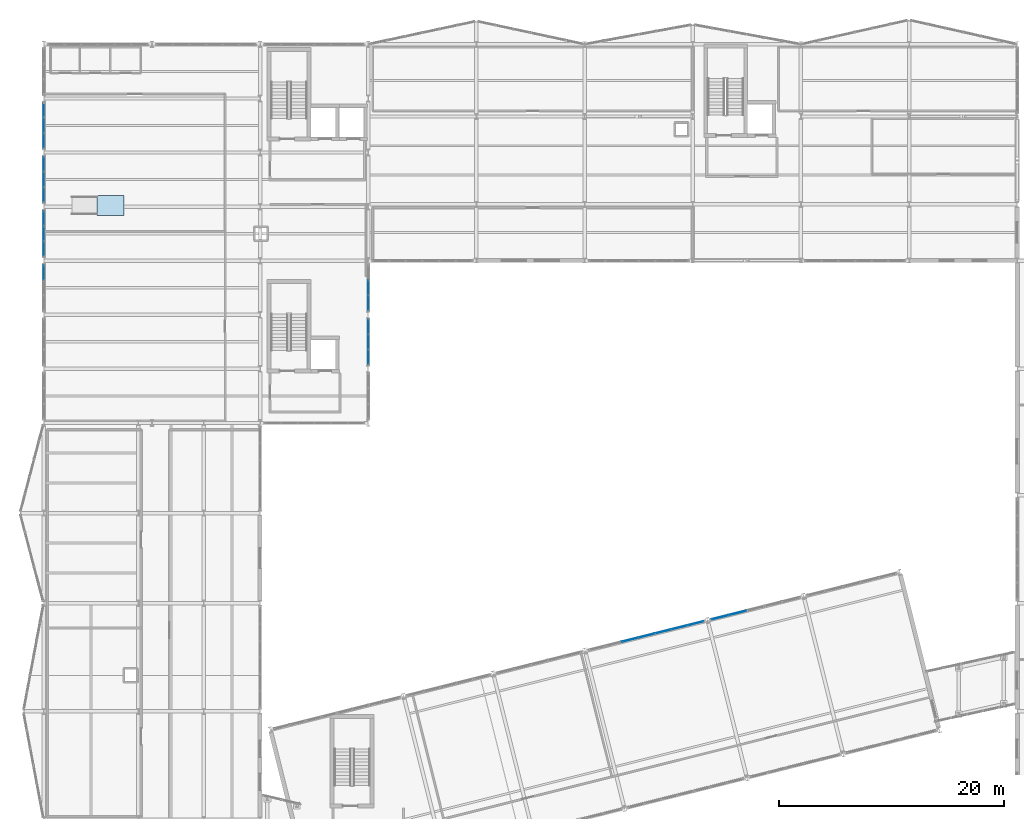
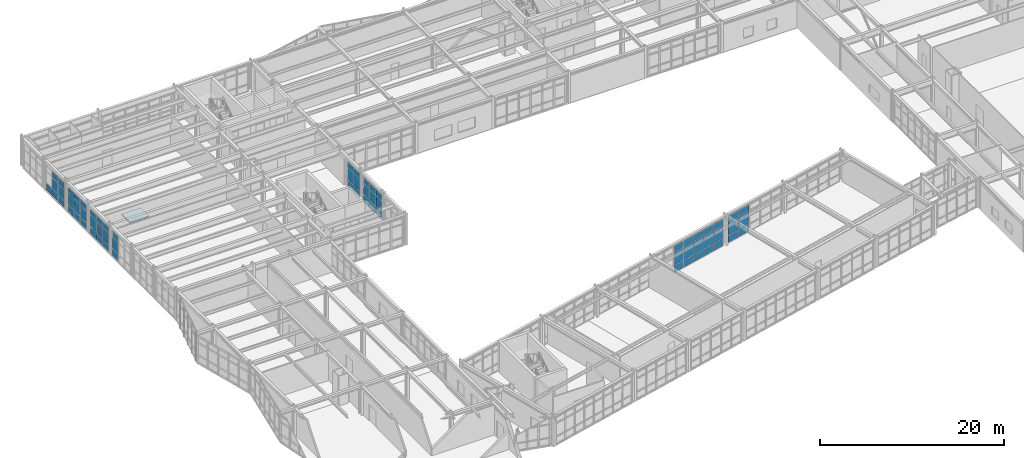
# One storey, part 56 of 88: 64 plates, 1 slab, 8 elements without a shape of their own.
"""IFC4 building model written with IfcOpenShell, lengths in metres."""

from ifc_helpers import new_model, si_unit, direction, frame, origin, origin_2d, place, context, subcontext, project, spatial, polyline, rectangle, outline, extrude, material, layer, layer_set, type_object, element, aggregate, save


model = new_model("IFC4")

# Units and contexts
model_context = context("Model", 3, precision=1e-05, world=origin(), true_north=direction((0.0, 1.0)))
body_context = subcontext(model_context, "Body", "Model", "MODEL_VIEW")
ifc_project = project(units=[si_unit("LENGTHUNIT", "METRE"), si_unit("AREAUNIT", "SQUARE_METRE"), si_unit("VOLUMEUNIT", "CUBIC_METRE"), si_unit("PLANEANGLEUNIT", "RADIAN"), si_unit("MASSUNIT", "GRAM", prefix="KILO")], contexts=[model_context])

# Site, building, storey
site_placement = place(None, origin())
site = spatial("IfcSite", under=ifc_project, at=site_placement, CompositionType="ELEMENT")
building_placement = place(site_placement, origin())
building = spatial("IfcBuilding", under=site, at=building_placement, Name="Nordkorset Police Headquarters", CompositionType="ELEMENT")
storey_placement = place(building_placement, frame((0.0, 0.0, 9.449951171875)))
storey = spatial("IfcBuildingStorey", under=building, at=storey_placement, Name="L02", CompositionType="ELEMENT", Elevation=9.449951171875)

# Curtain wall, plates
ifc_material_1 = material(Name="Aluminium alloy AW-6060", Category="aluminium")
ifc_layer_1 = layer(ifc_material_1, 0.179931640625, Name="Aluminium alloy AW-6060")
ifc_layer_set_1 = layer_set([ifc_layer_1], Name="Aluminium alloy AW-6060")
curtain_wall_type_1 = type_object("IfcCurtainWallType", Name="CW_Unit_408x341", PredefinedType="USERDEFINED", material=ifc_layer_set_1)
curtain_wall_1_placement = place(storey_placement, origin())
curtain_wall_1 = element("IfcCurtainWall", 1, at=curtain_wall_1_placement, inside=storey, type_object=curtain_wall_type_1, Name="Unitised Curtain Wall L02 V1W-2", ObjectType="UNITISED CURTAIN WALL", PredefinedType="USERDEFINED")
ifc_material_2 = material(Name="Low-iron triple glazing", Category="glass")
ifc_layer_2 = layer(ifc_material_2, 0.035888671875, Name="Low-iron triple glazing")
ifc_layer_set_2 = layer_set([ifc_layer_2], Name="Low-iron triple glazing")
plate_type = type_object("IfcPlateType", Name="CW_Panel_TripleGlazing_36", PredefinedType="CURTAIN_PANEL", material=ifc_layer_set_2)
plate_1_placement = place(storey_placement, frame((0.0, 96.543701171875, 0.06494140625), z_axis=(0.0, 0.0, 1.0), x_axis=(0.0, 1.0, 0.0)))
plate_1 = element("IfcPlate", 2, at=plate_1_placement, type_object=plate_type, Name="CW-40 panel 3.1", PredefinedType="CURTAIN_PANEL", context=body_context, shape_type="SweptSolid", body=[
    extrude(rectangle(XDim=1.262451171875, YDim=0.035888671875, at=origin_2d()), origin(), (0.0, 0.0, 1.0), 0.902587890625),
])
plate_2_placement = place(storey_placement, frame((0.0, 96.543701171875, 1.032470703125), z_axis=(0.0, 0.0, 1.0), x_axis=(0.0, 1.0, 0.0)))
plate_2 = element("IfcPlate", 3, at=plate_2_placement, type_object=plate_type, Name="CW-40 panel 3.2", PredefinedType="CURTAIN_PANEL", context=body_context, shape_type="SweptSolid", body=[
    extrude(rectangle(XDim=1.262451171875, YDim=0.035888671875, at=origin_2d()), origin(), (0.0, 0.0, 1.0), 1.4951171875),
])
plate_3_placement = place(storey_placement, frame((0.0, 96.543701171875, 2.592529296875), z_axis=(0.0, 0.0, 1.0), x_axis=(0.0, 1.0, 0.0)))
plate_3 = element("IfcPlate", 4, at=plate_3_placement, type_object=plate_type, Name="CW-40 panel 3.3", PredefinedType="CURTAIN_PANEL", context=body_context, shape_type="SweptSolid", body=[
    extrude(rectangle(XDim=1.262451171875, YDim=0.035888671875, at=origin_2d()), origin(), (0.0, 0.0, 1.0), 0.75244140625),
])
aggregate(curtain_wall_1, [plate_1, plate_2, plate_3])

curtain_wall_2_placement = place(storey_placement, origin())
curtain_wall_2 = element("IfcCurtainWall", 5, at=curtain_wall_2_placement, inside=storey, type_object=curtain_wall_type_1, Name="Unitised Curtain Wall L02 V1W-3", ObjectType="UNITISED CURTAIN WALL", PredefinedType="USERDEFINED")
plate_4_placement = place(storey_placement, frame((0.0, 98.65625, 0.06494140625), z_axis=(0.0, 0.0, 1.0), x_axis=(0.0, 1.0, 0.0)))
plate_4 = element("IfcPlate", 6, at=plate_4_placement, type_object=plate_type, Name="CW-40 panel 1.1", PredefinedType="CURTAIN_PANEL", context=body_context, shape_type="SweptSolid", body=[
    extrude(rectangle(XDim=1.262451171875, YDim=0.035888671875, at=origin_2d()), origin(), (0.0, 0.0, 1.0), 0.902587890625),
])
plate_5_placement = place(storey_placement, frame((0.0, 98.65625, 1.032470703125), z_axis=(0.0, 0.0, 1.0), x_axis=(0.0, 1.0, 0.0)))
plate_5 = element("IfcPlate", 7, at=plate_5_placement, type_object=plate_type, Name="CW-40 panel 1.2", PredefinedType="CURTAIN_PANEL", context=body_context, shape_type="SweptSolid", body=[
    extrude(rectangle(XDim=1.262451171875, YDim=0.035888671875, at=origin_2d()), origin(), (0.0, 0.0, 1.0), 1.4951171875),
])
plate_6_placement = place(storey_placement, frame((0.0, 98.65625, 2.592529296875), z_axis=(0.0, 0.0, 1.0), x_axis=(0.0, 1.0, 0.0)))
plate_6 = element("IfcPlate", 8, at=plate_6_placement, type_object=plate_type, Name="CW-40 panel 1.3", PredefinedType="CURTAIN_PANEL", context=body_context, shape_type="SweptSolid", body=[
    extrude(rectangle(XDim=1.262451171875, YDim=0.035888671875, at=origin_2d()), origin(), (0.0, 0.0, 1.0), 0.75244140625),
])
plate_7_placement = place(storey_placement, frame((0.0, 100.0, 0.06494140625), z_axis=(0.0, 0.0, 1.0), x_axis=(0.0, 1.0, 0.0)))
plate_7 = element("IfcPlate", 9, at=plate_7_placement, type_object=plate_type, Name="CW-40 panel 2.1", PredefinedType="CURTAIN_PANEL", context=body_context, shape_type="SweptSolid", body=[
    extrude(rectangle(XDim=1.294921875, YDim=0.035888671875, at=origin_2d()), origin(), (0.0, 0.0, 1.0), 0.902587890625),
])
plate_8_placement = place(storey_placement, frame((0.0, 100.0, 1.032470703125), z_axis=(0.0, 0.0, 1.0), x_axis=(0.0, 1.0, 0.0)))
plate_8 = element("IfcPlate", 10, at=plate_8_placement, type_object=plate_type, Name="CW-40 panel 2.2", PredefinedType="CURTAIN_PANEL", context=body_context, shape_type="SweptSolid", body=[
    extrude(rectangle(XDim=1.294921875, YDim=0.035888671875, at=origin_2d()), origin(), (0.0, 0.0, 1.0), 1.4951171875),
])
plate_9_placement = place(storey_placement, frame((0.0, 100.0, 2.592529296875), z_axis=(0.0, 0.0, 1.0), x_axis=(0.0, 1.0, 0.0)))
plate_9 = element("IfcPlate", 11, at=plate_9_placement, type_object=plate_type, Name="CW-40 panel 2.3", PredefinedType="CURTAIN_PANEL", context=body_context, shape_type="SweptSolid", body=[
    extrude(rectangle(XDim=1.294921875, YDim=0.035888671875, at=origin_2d()), origin(), (0.0, 0.0, 1.0), 0.75244140625),
])
plate_10_placement = place(storey_placement, frame((0.0, 101.34375, 0.06494140625), z_axis=(0.0, 0.0, 1.0), x_axis=(0.0, 1.0, 0.0)))
plate_10 = element("IfcPlate", 12, at=plate_10_placement, type_object=plate_type, Name="CW-40 panel 3.1", PredefinedType="CURTAIN_PANEL", context=body_context, shape_type="SweptSolid", body=[
    extrude(rectangle(XDim=1.262451171875, YDim=0.035888671875, at=origin_2d()), origin(), (0.0, 0.0, 1.0), 0.902587890625),
])
plate_11_placement = place(storey_placement, frame((0.0, 101.34375, 1.032470703125), z_axis=(0.0, 0.0, 1.0), x_axis=(0.0, 1.0, 0.0)))
plate_11 = element("IfcPlate", 13, at=plate_11_placement, type_object=plate_type, Name="CW-40 panel 3.2", PredefinedType="CURTAIN_PANEL", context=body_context, shape_type="SweptSolid", body=[
    extrude(rectangle(XDim=1.262451171875, YDim=0.035888671875, at=origin_2d()), origin(), (0.0, 0.0, 1.0), 1.4951171875),
])
plate_12_placement = place(storey_placement, frame((0.0, 101.34375, 2.592529296875), z_axis=(0.0, 0.0, 1.0), x_axis=(0.0, 1.0, 0.0)))
plate_12 = element("IfcPlate", 14, at=plate_12_placement, type_object=plate_type, Name="CW-40 panel 3.3", PredefinedType="CURTAIN_PANEL", context=body_context, shape_type="SweptSolid", body=[
    extrude(rectangle(XDim=1.262451171875, YDim=0.035888671875, at=origin_2d()), origin(), (0.0, 0.0, 1.0), 0.75244140625),
])
aggregate(curtain_wall_2, [plate_4, plate_5, plate_6, plate_7, plate_8, plate_9, plate_10, plate_11, plate_12])

curtain_wall_3_placement = place(storey_placement, origin())
curtain_wall_3 = element("IfcCurtainWall", 15, at=curtain_wall_3_placement, inside=storey, type_object=curtain_wall_type_1, Name="Unitised Curtain Wall L02 V1W-4", ObjectType="UNITISED CURTAIN WALL", PredefinedType="USERDEFINED")
plate_13_placement = place(storey_placement, frame((0.0, 103.456298828125, 0.06494140625), z_axis=(0.0, 0.0, 1.0), x_axis=(0.0, 1.0, 0.0)))
plate_13 = element("IfcPlate", 16, at=plate_13_placement, type_object=plate_type, Name="CW-40 panel 1.1", PredefinedType="CURTAIN_PANEL", context=body_context, shape_type="SweptSolid", body=[
    extrude(rectangle(XDim=1.262451171875, YDim=0.035888671875, at=origin_2d()), origin(), (0.0, 0.0, 1.0), 0.902587890625),
])
plate_14_placement = place(storey_placement, frame((0.0, 103.456298828125, 1.032470703125), z_axis=(0.0, 0.0, 1.0), x_axis=(0.0, 1.0, 0.0)))
plate_14 = element("IfcPlate", 17, at=plate_14_placement, type_object=plate_type, Name="CW-40 panel 1.2", PredefinedType="CURTAIN_PANEL", context=body_context, shape_type="SweptSolid", body=[
    extrude(rectangle(XDim=1.262451171875, YDim=0.035888671875, at=origin_2d()), origin(), (0.0, 0.0, 1.0), 1.4951171875),
])
plate_15_placement = place(storey_placement, frame((0.0, 103.456298828125, 2.592529296875), z_axis=(0.0, 0.0, 1.0), x_axis=(0.0, 1.0, 0.0)))
plate_15 = element("IfcPlate", 18, at=plate_15_placement, type_object=plate_type, Name="CW-40 panel 1.3", PredefinedType="CURTAIN_PANEL", context=body_context, shape_type="SweptSolid", body=[
    extrude(rectangle(XDim=1.262451171875, YDim=0.035888671875, at=origin_2d()), origin(), (0.0, 0.0, 1.0), 0.75244140625),
])
plate_16_placement = place(storey_placement, frame((0.0, 104.800048828125, 0.06494140625), z_axis=(0.0, 0.0, 1.0), x_axis=(0.0, 1.0, 0.0)))
plate_16 = element("IfcPlate", 19, at=plate_16_placement, type_object=plate_type, Name="CW-40 panel 2.1", PredefinedType="CURTAIN_PANEL", context=body_context, shape_type="SweptSolid", body=[
    extrude(rectangle(XDim=1.294921875, YDim=0.035888671875, at=origin_2d()), origin(), (0.0, 0.0, 1.0), 0.902587890625),
])
plate_17_placement = place(storey_placement, frame((0.0, 104.800048828125, 1.032470703125), z_axis=(0.0, 0.0, 1.0), x_axis=(0.0, 1.0, 0.0)))
plate_17 = element("IfcPlate", 20, at=plate_17_placement, type_object=plate_type, Name="CW-40 panel 2.2", PredefinedType="CURTAIN_PANEL", context=body_context, shape_type="SweptSolid", body=[
    extrude(rectangle(XDim=1.294921875, YDim=0.035888671875, at=origin_2d()), origin(), (0.0, 0.0, 1.0), 1.4951171875),
])
plate_18_placement = place(storey_placement, frame((0.0, 104.800048828125, 2.592529296875), z_axis=(0.0, 0.0, 1.0), x_axis=(0.0, 1.0, 0.0)))
plate_18 = element("IfcPlate", 21, at=plate_18_placement, type_object=plate_type, Name="CW-40 panel 2.3", PredefinedType="CURTAIN_PANEL", context=body_context, shape_type="SweptSolid", body=[
    extrude(rectangle(XDim=1.294921875, YDim=0.035888671875, at=origin_2d()), origin(), (0.0, 0.0, 1.0), 0.75244140625),
])
plate_19_placement = place(storey_placement, frame((0.0, 106.143798828125, 0.06494140625), z_axis=(0.0, 0.0, 1.0), x_axis=(0.0, 1.0, 0.0)))
plate_19 = element("IfcPlate", 22, at=plate_19_placement, type_object=plate_type, Name="CW-40 panel 3.1", PredefinedType="CURTAIN_PANEL", context=body_context, shape_type="SweptSolid", body=[
    extrude(rectangle(XDim=1.262451171875, YDim=0.035888671875, at=origin_2d()), origin(), (0.0, 0.0, 1.0), 0.902587890625),
])
plate_20_placement = place(storey_placement, frame((0.0, 106.143798828125, 1.032470703125), z_axis=(0.0, 0.0, 1.0), x_axis=(0.0, 1.0, 0.0)))
plate_20 = element("IfcPlate", 23, at=plate_20_placement, type_object=plate_type, Name="CW-40 panel 3.2", PredefinedType="CURTAIN_PANEL", context=body_context, shape_type="SweptSolid", body=[
    extrude(rectangle(XDim=1.262451171875, YDim=0.035888671875, at=origin_2d()), origin(), (0.0, 0.0, 1.0), 1.4951171875),
])
plate_21_placement = place(storey_placement, frame((0.0, 106.143798828125, 2.592529296875), z_axis=(0.0, 0.0, 1.0), x_axis=(0.0, 1.0, 0.0)))
plate_21 = element("IfcPlate", 24, at=plate_21_placement, type_object=plate_type, Name="CW-40 panel 3.3", PredefinedType="CURTAIN_PANEL", context=body_context, shape_type="SweptSolid", body=[
    extrude(rectangle(XDim=1.262451171875, YDim=0.035888671875, at=origin_2d()), origin(), (0.0, 0.0, 1.0), 0.75244140625),
])
aggregate(curtain_wall_3, [plate_13, plate_14, plate_15, plate_16, plate_17, plate_18, plate_19, plate_20, plate_21])

curtain_wall_4_placement = place(storey_placement, origin())
curtain_wall_4 = element("IfcCurtainWall", 25, at=curtain_wall_4_placement, inside=storey, type_object=curtain_wall_type_1, Name="Unitised Curtain Wall L02 V1W-5", ObjectType="UNITISED CURTAIN WALL", PredefinedType="USERDEFINED")
plate_22_placement = place(storey_placement, frame((0.0, 108.25634765625, 0.06494140625), z_axis=(0.0, 0.0, 1.0), x_axis=(0.0, 1.0, 0.0)))
plate_22 = element("IfcPlate", 26, at=plate_22_placement, type_object=plate_type, Name="CW-40 panel 1.1", PredefinedType="CURTAIN_PANEL", context=body_context, shape_type="SweptSolid", body=[
    extrude(rectangle(XDim=1.262451171875, YDim=0.035888671875, at=origin_2d()), origin(), (0.0, 0.0, 1.0), 0.902587890625),
])
plate_23_placement = place(storey_placement, frame((0.0, 108.25634765625, 1.032470703125), z_axis=(0.0, 0.0, 1.0), x_axis=(0.0, 1.0, 0.0)))
plate_23 = element("IfcPlate", 27, at=plate_23_placement, type_object=plate_type, Name="CW-40 panel 1.2", PredefinedType="CURTAIN_PANEL", context=body_context, shape_type="SweptSolid", body=[
    extrude(rectangle(XDim=1.262451171875, YDim=0.035888671875, at=origin_2d()), origin(), (0.0, 0.0, 1.0), 1.4951171875),
])
plate_24_placement = place(storey_placement, frame((0.0, 108.25634765625, 2.592529296875), z_axis=(0.0, 0.0, 1.0), x_axis=(0.0, 1.0, 0.0)))
plate_24 = element("IfcPlate", 28, at=plate_24_placement, type_object=plate_type, Name="CW-40 panel 1.3", PredefinedType="CURTAIN_PANEL", context=body_context, shape_type="SweptSolid", body=[
    extrude(rectangle(XDim=1.262451171875, YDim=0.035888671875, at=origin_2d()), origin(), (0.0, 0.0, 1.0), 0.75244140625),
])
plate_25_placement = place(storey_placement, frame((0.0, 109.60009765625, 0.06494140625), z_axis=(0.0, 0.0, 1.0), x_axis=(0.0, 1.0, 0.0)))
plate_25 = element("IfcPlate", 29, at=plate_25_placement, type_object=plate_type, Name="CW-40 panel 2.1", PredefinedType="CURTAIN_PANEL", context=body_context, shape_type="SweptSolid", body=[
    extrude(rectangle(XDim=1.294921875, YDim=0.035888671875, at=origin_2d()), origin(), (0.0, 0.0, 1.0), 0.902587890625),
])
plate_26_placement = place(storey_placement, frame((0.0, 109.60009765625, 1.032470703125), z_axis=(0.0, 0.0, 1.0), x_axis=(0.0, 1.0, 0.0)))
plate_26 = element("IfcPlate", 30, at=plate_26_placement, type_object=plate_type, Name="CW-40 panel 2.2", PredefinedType="CURTAIN_PANEL", context=body_context, shape_type="SweptSolid", body=[
    extrude(rectangle(XDim=1.294921875, YDim=0.035888671875, at=origin_2d()), origin(), (0.0, 0.0, 1.0), 1.4951171875),
])
plate_27_placement = place(storey_placement, frame((0.0, 109.60009765625, 2.592529296875), z_axis=(0.0, 0.0, 1.0), x_axis=(0.0, 1.0, 0.0)))
plate_27 = element("IfcPlate", 31, at=plate_27_placement, type_object=plate_type, Name="CW-40 panel 2.3", PredefinedType="CURTAIN_PANEL", context=body_context, shape_type="SweptSolid", body=[
    extrude(rectangle(XDim=1.294921875, YDim=0.035888671875, at=origin_2d()), origin(), (0.0, 0.0, 1.0), 0.75244140625),
])
plate_28_placement = place(storey_placement, frame((0.0, 110.94384765625, 0.06494140625), z_axis=(0.0, 0.0, 1.0), x_axis=(0.0, 1.0, 0.0)))
plate_28 = element("IfcPlate", 32, at=plate_28_placement, type_object=plate_type, Name="CW-40 panel 3.1", PredefinedType="CURTAIN_PANEL", context=body_context, shape_type="SweptSolid", body=[
    extrude(rectangle(XDim=1.262451171875, YDim=0.035888671875, at=origin_2d()), origin(), (0.0, 0.0, 1.0), 0.902587890625),
])
aggregate(curtain_wall_4, [plate_22, plate_23, plate_24, plate_25, plate_26, plate_27, plate_28])

curtain_wall_5_placement = place(storey_placement, origin())
curtain_wall_5 = element("IfcCurtainWall", 33, at=curtain_wall_5_placement, inside=storey, type_object=curtain_wall_type_1, Name="Unitised Curtain Wall L02 V1E-1", ObjectType="UNITISED CURTAIN WALL", PredefinedType="USERDEFINED")
plate_29_placement = place(storey_placement, frame((28.800048828125, 89.05615234375, 0.06494140625), z_axis=(0.0, 0.0, 1.0), x_axis=(0.0, 1.0, 0.0)))
plate_29 = element("IfcPlate", 34, at=plate_29_placement, type_object=plate_type, Name="CW-40 panel 1.1", PredefinedType="CURTAIN_PANEL", context=body_context, shape_type="SweptSolid", body=[
    extrude(rectangle(XDim=1.262451171875, YDim=0.035888671875, at=origin_2d()), origin(), (0.0, 0.0, 1.0), 0.902587890625),
])
plate_30_placement = place(storey_placement, frame((28.800048828125, 89.05615234375, 1.032470703125), z_axis=(0.0, 0.0, 1.0), x_axis=(0.0, 1.0, 0.0)))
plate_30 = element("IfcPlate", 35, at=plate_30_placement, type_object=plate_type, Name="CW-40 panel 1.2", PredefinedType="CURTAIN_PANEL", context=body_context, shape_type="SweptSolid", body=[
    extrude(rectangle(XDim=1.262451171875, YDim=0.035888671875, at=origin_2d()), origin(), (0.0, 0.0, 1.0), 1.4951171875),
])
plate_31_placement = place(storey_placement, frame((28.800048828125, 89.05615234375, 2.592529296875), z_axis=(0.0, 0.0, 1.0), x_axis=(0.0, 1.0, 0.0)))
plate_31 = element("IfcPlate", 36, at=plate_31_placement, type_object=plate_type, Name="CW-40 panel 1.3", PredefinedType="CURTAIN_PANEL", context=body_context, shape_type="SweptSolid", body=[
    extrude(rectangle(XDim=1.262451171875, YDim=0.035888671875, at=origin_2d()), origin(), (0.0, 0.0, 1.0), 0.75244140625),
])
plate_32_placement = place(storey_placement, frame((28.800048828125, 90.39990234375, 0.06494140625), z_axis=(0.0, 0.0, 1.0), x_axis=(0.0, 1.0, 0.0)))
plate_32 = element("IfcPlate", 37, at=plate_32_placement, type_object=plate_type, Name="CW-40 panel 2.1", PredefinedType="CURTAIN_PANEL", context=body_context, shape_type="SweptSolid", body=[
    extrude(rectangle(XDim=1.294921875, YDim=0.035888671875, at=origin_2d()), origin(), (0.0, 0.0, 1.0), 0.902587890625),
])
plate_33_placement = place(storey_placement, frame((28.800048828125, 90.39990234375, 1.032470703125), z_axis=(0.0, 0.0, 1.0), x_axis=(0.0, 1.0, 0.0)))
plate_33 = element("IfcPlate", 38, at=plate_33_placement, type_object=plate_type, Name="CW-40 panel 2.2", PredefinedType="CURTAIN_PANEL", context=body_context, shape_type="SweptSolid", body=[
    extrude(rectangle(XDim=1.294921875, YDim=0.035888671875, at=origin_2d()), origin(), (0.0, 0.0, 1.0), 1.4951171875),
])
plate_34_placement = place(storey_placement, frame((28.800048828125, 90.39990234375, 2.592529296875), z_axis=(0.0, 0.0, 1.0), x_axis=(0.0, 1.0, 0.0)))
plate_34 = element("IfcPlate", 39, at=plate_34_placement, type_object=plate_type, Name="CW-40 panel 2.3", PredefinedType="CURTAIN_PANEL", context=body_context, shape_type="SweptSolid", body=[
    extrude(rectangle(XDim=1.294921875, YDim=0.035888671875, at=origin_2d()), origin(), (0.0, 0.0, 1.0), 0.75244140625),
])
plate_35_placement = place(storey_placement, frame((28.800048828125, 91.74365234375, 0.06494140625), z_axis=(0.0, 0.0, 1.0), x_axis=(0.0, 1.0, 0.0)))
plate_35 = element("IfcPlate", 40, at=plate_35_placement, type_object=plate_type, Name="CW-40 panel 3.1", PredefinedType="CURTAIN_PANEL", context=body_context, shape_type="SweptSolid", body=[
    extrude(rectangle(XDim=1.262451171875, YDim=0.035888671875, at=origin_2d()), origin(), (0.0, 0.0, 1.0), 0.902587890625),
])
plate_36_placement = place(storey_placement, frame((28.800048828125, 91.74365234375, 1.032470703125), z_axis=(0.0, 0.0, 1.0), x_axis=(0.0, 1.0, 0.0)))
plate_36 = element("IfcPlate", 41, at=plate_36_placement, type_object=plate_type, Name="CW-40 panel 3.2", PredefinedType="CURTAIN_PANEL", context=body_context, shape_type="SweptSolid", body=[
    extrude(rectangle(XDim=1.262451171875, YDim=0.035888671875, at=origin_2d()), origin(), (0.0, 0.0, 1.0), 1.4951171875),
])
plate_37_placement = place(storey_placement, frame((28.800048828125, 91.74365234375, 2.592529296875), z_axis=(0.0, 0.0, 1.0), x_axis=(0.0, 1.0, 0.0)))
plate_37 = element("IfcPlate", 42, at=plate_37_placement, type_object=plate_type, Name="CW-40 panel 3.3", PredefinedType="CURTAIN_PANEL", context=body_context, shape_type="SweptSolid", body=[
    extrude(rectangle(XDim=1.262451171875, YDim=0.035888671875, at=origin_2d()), origin(), (0.0, 0.0, 1.0), 0.75244140625),
])
aggregate(curtain_wall_5, [plate_29, plate_30, plate_31, plate_32, plate_33, plate_34, plate_35, plate_36, plate_37])

curtain_wall_6_placement = place(storey_placement, origin())
curtain_wall_6 = element("IfcCurtainWall", 43, at=curtain_wall_6_placement, inside=storey, type_object=curtain_wall_type_1, Name="Unitised Curtain Wall L02 V1E-2", ObjectType="UNITISED CURTAIN WALL", PredefinedType="USERDEFINED")
plate_38_placement = place(storey_placement, frame((28.800048828125, 93.856201171875, 0.06494140625), z_axis=(0.0, 0.0, 1.0), x_axis=(0.0, 1.0, 0.0)))
plate_38 = element("IfcPlate", 44, at=plate_38_placement, type_object=plate_type, Name="CW-40 panel 1.1", PredefinedType="CURTAIN_PANEL", context=body_context, shape_type="SweptSolid", body=[
    extrude(rectangle(XDim=1.262451171875, YDim=0.035888671875, at=origin_2d()), origin(), (0.0, 0.0, 1.0), 0.902587890625),
])
plate_39_placement = place(storey_placement, frame((28.800048828125, 93.856201171875, 1.032470703125), z_axis=(0.0, 0.0, 1.0), x_axis=(0.0, 1.0, 0.0)))
plate_39 = element("IfcPlate", 45, at=plate_39_placement, type_object=plate_type, Name="CW-40 panel 1.2", PredefinedType="CURTAIN_PANEL", context=body_context, shape_type="SweptSolid", body=[
    extrude(rectangle(XDim=1.262451171875, YDim=0.035888671875, at=origin_2d()), origin(), (0.0, 0.0, 1.0), 1.4951171875),
])
plate_40_placement = place(storey_placement, frame((28.800048828125, 93.856201171875, 2.592529296875), z_axis=(0.0, 0.0, 1.0), x_axis=(0.0, 1.0, 0.0)))
plate_40 = element("IfcPlate", 46, at=plate_40_placement, type_object=plate_type, Name="CW-40 panel 1.3", PredefinedType="CURTAIN_PANEL", context=body_context, shape_type="SweptSolid", body=[
    extrude(rectangle(XDim=1.262451171875, YDim=0.035888671875, at=origin_2d()), origin(), (0.0, 0.0, 1.0), 0.75244140625),
])
plate_41_placement = place(storey_placement, frame((28.800048828125, 95.199951171875, 0.06494140625), z_axis=(0.0, 0.0, 1.0), x_axis=(0.0, 1.0, 0.0)))
plate_41 = element("IfcPlate", 47, at=plate_41_placement, type_object=plate_type, Name="CW-40 panel 2.1", PredefinedType="CURTAIN_PANEL", context=body_context, shape_type="SweptSolid", body=[
    extrude(rectangle(XDim=1.294921875, YDim=0.035888671875, at=origin_2d()), origin(), (0.0, 0.0, 1.0), 0.902587890625),
])
plate_42_placement = place(storey_placement, frame((28.800048828125, 95.199951171875, 1.032470703125), z_axis=(0.0, 0.0, 1.0), x_axis=(0.0, 1.0, 0.0)))
plate_42 = element("IfcPlate", 48, at=plate_42_placement, type_object=plate_type, Name="CW-40 panel 2.2", PredefinedType="CURTAIN_PANEL", context=body_context, shape_type="SweptSolid", body=[
    extrude(rectangle(XDim=1.294921875, YDim=0.035888671875, at=origin_2d()), origin(), (0.0, 0.0, 1.0), 1.4951171875),
])
plate_43_placement = place(storey_placement, frame((28.800048828125, 95.199951171875, 2.592529296875), z_axis=(0.0, 0.0, 1.0), x_axis=(0.0, 1.0, 0.0)))
plate_43 = element("IfcPlate", 49, at=plate_43_placement, type_object=plate_type, Name="CW-40 panel 2.3", PredefinedType="CURTAIN_PANEL", context=body_context, shape_type="SweptSolid", body=[
    extrude(rectangle(XDim=1.294921875, YDim=0.035888671875, at=origin_2d()), origin(), (0.0, 0.0, 1.0), 0.75244140625),
])
aggregate(curtain_wall_6, [plate_38, plate_39, plate_40, plate_41, plate_42, plate_43])

ifc_material_3 = material(Name="Aluminium alloy AW-6060", Category="aluminium")
ifc_layer_3 = layer(ifc_material_3, 0.179931640625, Name="Aluminium alloy AW-6060")
ifc_layer_set_3 = layer_set([ifc_layer_3], Name="Aluminium alloy AW-6060")
curtain_wall_type_2 = type_object("IfcCurtainWallType", Name="CW_Unit_1056x364", PredefinedType="USERDEFINED", material=ifc_layer_set_3)
curtain_wall_7_placement = place(storey_placement, origin())
curtain_wall_7 = element("IfcCurtainWall", 50, at=curtain_wall_7_placement, inside=storey, type_object=curtain_wall_type_2, Name="Unitised Curtain Wall L02 V4N-3", ObjectType="UNITISED CURTAIN WALL", PredefinedType="USERDEFINED")
plate_44_placement = place(storey_placement, frame((52.016845703125, 63.947509765625, 0.06494140625), z_axis=(0.0, 0.0, 1.0), x_axis=(0.970142388735, 0.242536070676, 0.0)))
plate_44 = element("IfcPlate", 51, at=plate_44_placement, type_object=plate_type, Name="CW-31 panel 3.1", PredefinedType="CURTAIN_PANEL", context=body_context, shape_type="SweptSolid", body=[
    extrude(rectangle(XDim=1.443603515625, YDim=0.035888671875, at=origin_2d()), origin(), (0.0, 0.0, 1.0), 0.902587890625),
])
plate_45_placement = place(storey_placement, frame((52.016845703125, 63.947509765625, 1.032470703125), z_axis=(0.0, 0.0, 1.0), x_axis=(0.970142388735, 0.242536070676, 0.0)))
plate_45 = element("IfcPlate", 52, at=plate_45_placement, type_object=plate_type, Name="CW-31 panel 3.2", PredefinedType="CURTAIN_PANEL", context=body_context, shape_type="SweptSolid", body=[
    extrude(rectangle(XDim=1.443603515625, YDim=0.035888671875, at=origin_2d()), origin(), (0.0, 0.0, 1.0), 1.72509765625),
])
plate_46_placement = place(storey_placement, frame((52.016845703125, 63.947509765625, 2.822509765625), z_axis=(0.0, 0.0, 1.0), x_axis=(0.970142388735, 0.242536070676, 0.0)))
plate_46 = element("IfcPlate", 53, at=plate_46_placement, type_object=plate_type, Name="CW-31 panel 3.3", PredefinedType="CURTAIN_PANEL", context=body_context, shape_type="SweptSolid", body=[
    extrude(rectangle(XDim=1.443603515625, YDim=0.035888671875, at=origin_2d()), origin(), (0.0, 0.0, 1.0), 0.75244140625),
])
plate_47_placement = place(storey_placement, frame((53.48046875, 64.313232421875, 0.06494140625), z_axis=(0.0, 0.0, 1.0), x_axis=(0.970142388735, 0.242536070676, 0.0)))
plate_47 = element("IfcPlate", 54, at=plate_47_placement, type_object=plate_type, Name="CW-31 panel 4.1", PredefinedType="CURTAIN_PANEL", context=body_context, shape_type="SweptSolid", body=[
    extrude(rectangle(XDim=1.443603515625, YDim=0.035888671875, at=origin_2d()), origin(), (0.0, 0.0, 1.0), 0.902587890625),
])
plate_48_placement = place(storey_placement, frame((53.48046875, 64.313232421875, 1.032470703125), z_axis=(0.0, 0.0, 1.0), x_axis=(0.970142388735, 0.242536070676, 0.0)))
plate_48 = element("IfcPlate", 55, at=plate_48_placement, type_object=plate_type, Name="CW-31 panel 4.2", PredefinedType="CURTAIN_PANEL", context=body_context, shape_type="SweptSolid", body=[
    extrude(rectangle(XDim=1.443603515625, YDim=0.035888671875, at=origin_2d()), origin(), (0.0, 0.0, 1.0), 1.72509765625),
])
plate_49_placement = place(storey_placement, frame((53.48046875, 64.313232421875, 2.822509765625), z_axis=(0.0, 0.0, 1.0), x_axis=(0.970142388735, 0.242536070676, 0.0)))
plate_49 = element("IfcPlate", 56, at=plate_49_placement, type_object=plate_type, Name="CW-31 panel 4.3", PredefinedType="CURTAIN_PANEL", context=body_context, shape_type="SweptSolid", body=[
    extrude(rectangle(XDim=1.443603515625, YDim=0.035888671875, at=origin_2d()), origin(), (0.0, 0.0, 1.0), 0.75244140625),
])
plate_50_placement = place(storey_placement, frame((54.94384765625, 64.67919921875, 0.06494140625), z_axis=(0.0, 0.0, 1.0), x_axis=(0.970142388735, 0.242536070676, 0.0)))
plate_50 = element("IfcPlate", 57, at=plate_50_placement, type_object=plate_type, Name="CW-31 panel 5.1", PredefinedType="CURTAIN_PANEL", context=body_context, shape_type="SweptSolid", body=[
    extrude(rectangle(XDim=1.443603515625, YDim=0.035888671875, at=origin_2d()), origin(), (0.0, 0.0, 1.0), 0.902587890625),
])
plate_51_placement = place(storey_placement, frame((54.94384765625, 64.67919921875, 1.032470703125), z_axis=(0.0, 0.0, 1.0), x_axis=(0.970142388735, 0.242536070676, 0.0)))
plate_51 = element("IfcPlate", 58, at=plate_51_placement, type_object=plate_type, Name="CW-31 panel 5.2", PredefinedType="CURTAIN_PANEL", context=body_context, shape_type="SweptSolid", body=[
    extrude(rectangle(XDim=1.443603515625, YDim=0.035888671875, at=origin_2d()), origin(), (0.0, 0.0, 1.0), 1.72509765625),
])
plate_52_placement = place(storey_placement, frame((54.94384765625, 64.67919921875, 2.822509765625), z_axis=(0.0, 0.0, 1.0), x_axis=(0.970142388735, 0.242536070676, 0.0)))
plate_52 = element("IfcPlate", 59, at=plate_52_placement, type_object=plate_type, Name="CW-31 panel 5.3", PredefinedType="CURTAIN_PANEL", context=body_context, shape_type="SweptSolid", body=[
    extrude(rectangle(XDim=1.443603515625, YDim=0.035888671875, at=origin_2d()), origin(), (0.0, 0.0, 1.0), 0.75244140625),
])
plate_53_placement = place(storey_placement, frame((56.407470703125, 65.045166015625, 0.06494140625), z_axis=(0.0, 0.0, 1.0), x_axis=(0.970142388735, 0.242536070676, 0.0)))
plate_53 = element("IfcPlate", 60, at=plate_53_placement, type_object=plate_type, Name="CW-31 panel 6.1", PredefinedType="CURTAIN_PANEL", context=body_context, shape_type="SweptSolid", body=[
    extrude(rectangle(XDim=1.443603515625, YDim=0.035888671875, at=origin_2d()), origin(), (0.0, 0.0, 1.0), 0.902587890625),
])
plate_54_placement = place(storey_placement, frame((56.407470703125, 65.045166015625, 1.032470703125), z_axis=(0.0, 0.0, 1.0), x_axis=(0.970142388735, 0.242536070676, 0.0)))
plate_54 = element("IfcPlate", 61, at=plate_54_placement, type_object=plate_type, Name="CW-31 panel 6.2", PredefinedType="CURTAIN_PANEL", context=body_context, shape_type="SweptSolid", body=[
    extrude(rectangle(XDim=1.443603515625, YDim=0.035888671875, at=origin_2d()), origin(), (0.0, 0.0, 1.0), 1.72509765625),
])
plate_55_placement = place(storey_placement, frame((56.407470703125, 65.045166015625, 2.822509765625), z_axis=(0.0, 0.0, 1.0), x_axis=(0.970142388735, 0.242536070676, 0.0)))
plate_55 = element("IfcPlate", 62, at=plate_55_placement, type_object=plate_type, Name="CW-31 panel 6.3", PredefinedType="CURTAIN_PANEL", context=body_context, shape_type="SweptSolid", body=[
    extrude(rectangle(XDim=1.443603515625, YDim=0.035888671875, at=origin_2d()), origin(), (0.0, 0.0, 1.0), 0.75244140625),
])
plate_56_placement = place(storey_placement, frame((57.855224609375, 65.406982421875, 0.06494140625), z_axis=(0.0, 0.0, 1.0), x_axis=(0.970142388735, 0.242536070676, 0.0)))
plate_56 = element("IfcPlate", 63, at=plate_56_placement, type_object=plate_type, Name="CW-31 panel 7.1", PredefinedType="CURTAIN_PANEL", context=body_context, shape_type="SweptSolid", body=[
    extrude(rectangle(XDim=1.4111328125, YDim=0.035888671875, at=origin_2d()), origin(), (0.0, 0.0, 1.0), 0.902587890625),
])
plate_57_placement = place(storey_placement, frame((57.855224609375, 65.406982421875, 1.032470703125), z_axis=(0.0, 0.0, 1.0), x_axis=(0.970142388735, 0.242536070676, 0.0)))
plate_57 = element("IfcPlate", 64, at=plate_57_placement, type_object=plate_type, Name="CW-31 panel 7.2", PredefinedType="CURTAIN_PANEL", context=body_context, shape_type="SweptSolid", body=[
    extrude(rectangle(XDim=1.4111328125, YDim=0.035888671875, at=origin_2d()), origin(), (0.0, 0.0, 1.0), 1.72509765625),
])
plate_58_placement = place(storey_placement, frame((57.855224609375, 65.406982421875, 2.822509765625), z_axis=(0.0, 0.0, 1.0), x_axis=(0.970142388735, 0.242536070676, 0.0)))
plate_58 = element("IfcPlate", 65, at=plate_58_placement, type_object=plate_type, Name="CW-31 panel 7.3", PredefinedType="CURTAIN_PANEL", context=body_context, shape_type="SweptSolid", body=[
    extrude(rectangle(XDim=1.4111328125, YDim=0.035888671875, at=origin_2d()), origin(), (0.0, 0.0, 1.0), 0.75244140625),
])
aggregate(curtain_wall_7, [plate_44, plate_45, plate_46, plate_47, plate_48, plate_49, plate_50, plate_51, plate_52, plate_53, plate_54, plate_55, plate_56, plate_57, plate_58])

ifc_material_4 = material(Name="Aluminium alloy AW-6060", Category="aluminium")
ifc_layer_4 = layer(ifc_material_4, 0.179931640625, Name="Aluminium alloy AW-6060")
ifc_layer_set_4 = layer_set([ifc_layer_4], Name="Aluminium alloy AW-6060")
curtain_wall_type_3 = type_object("IfcCurtainWallType", Name="CW_Unit_816x364", PredefinedType="USERDEFINED", material=ifc_layer_set_4)
curtain_wall_8_placement = place(storey_placement, origin())
curtain_wall_8 = element("IfcCurtainWall", 66, at=curtain_wall_8_placement, inside=storey, type_object=curtain_wall_type_3, Name="Unitised Curtain Wall L02 V4N-4", ObjectType="UNITISED CURTAIN WALL", PredefinedType="USERDEFINED")
plate_59_placement = place(storey_placement, frame((60.031005859375, 65.950927734375, 0.06494140625), z_axis=(0.0, 0.0, 1.0), x_axis=(0.970142572234, 0.242535336683, 0.0)))
plate_59 = element("IfcPlate", 67, at=plate_59_placement, type_object=plate_type, Name="CW-64 panel 1.1", PredefinedType="CURTAIN_PANEL", context=body_context, shape_type="SweptSolid", body=[
    extrude(rectangle(XDim=1.534423828125, YDim=0.035888671875, at=origin_2d()), origin(), (0.0, 0.0, 1.0), 0.902587890625),
])
plate_60_placement = place(storey_placement, frame((60.031005859375, 65.950927734375, 1.032470703125), z_axis=(0.0, 0.0, 1.0), x_axis=(0.970142572234, 0.242535336683, 0.0)))
plate_60 = element("IfcPlate", 68, at=plate_60_placement, type_object=plate_type, Name="CW-64 panel 1.2", PredefinedType="CURTAIN_PANEL", context=body_context, shape_type="SweptSolid", body=[
    extrude(rectangle(XDim=1.534423828125, YDim=0.035888671875, at=origin_2d()), origin(), (0.0, 0.0, 1.0), 1.72509765625),
])
plate_61_placement = place(storey_placement, frame((60.031005859375, 65.950927734375, 2.822509765625), z_axis=(0.0, 0.0, 1.0), x_axis=(0.970142572234, 0.242535336683, 0.0)))
plate_61 = element("IfcPlate", 69, at=plate_61_placement, type_object=plate_type, Name="CW-64 panel 1.3", PredefinedType="CURTAIN_PANEL", context=body_context, shape_type="SweptSolid", body=[
    extrude(rectangle(XDim=1.534423828125, YDim=0.035888671875, at=origin_2d()), origin(), (0.0, 0.0, 1.0), 0.75244140625),
])
plate_62_placement = place(storey_placement, frame((61.5986328125, 66.3427734375, 0.06494140625), z_axis=(0.0, 0.0, 1.0), x_axis=(0.970142572234, 0.242535336683, 0.0)))
plate_62 = element("IfcPlate", 70, at=plate_62_placement, type_object=plate_type, Name="CW-64 panel 2.1", PredefinedType="CURTAIN_PANEL", context=body_context, shape_type="SweptSolid", body=[
    extrude(rectangle(XDim=1.56689453125, YDim=0.035888671875, at=origin_2d()), origin(), (0.0, 0.0, 1.0), 0.902587890625),
])
plate_63_placement = place(storey_placement, frame((61.5986328125, 66.3427734375, 1.032470703125), z_axis=(0.0, 0.0, 1.0), x_axis=(0.970142572234, 0.242535336683, 0.0)))
plate_63 = element("IfcPlate", 71, at=plate_63_placement, type_object=plate_type, Name="CW-64 panel 2.2", PredefinedType="CURTAIN_PANEL", context=body_context, shape_type="SweptSolid", body=[
    extrude(rectangle(XDim=1.56689453125, YDim=0.035888671875, at=origin_2d()), origin(), (0.0, 0.0, 1.0), 1.72509765625),
])
plate_64_placement = place(storey_placement, frame((61.5986328125, 66.3427734375, 2.822509765625), z_axis=(0.0, 0.0, 1.0), x_axis=(0.970142572234, 0.242535336683, 0.0)))
plate_64 = element("IfcPlate", 72, at=plate_64_placement, type_object=plate_type, Name="CW-64 panel 2.3", PredefinedType="CURTAIN_PANEL", context=body_context, shape_type="SweptSolid", body=[
    extrude(rectangle(XDim=1.56689453125, YDim=0.035888671875, at=origin_2d()), origin(), (0.0, 0.0, 1.0), 0.75244140625),
])
aggregate(curtain_wall_8, [plate_59, plate_60, plate_61, plate_62, plate_63, plate_64])

# Slab
ifc_material_5 = material(Name="Concrete C35/45", Category="concrete")
ifc_layer_5 = layer(ifc_material_5, 0.199951171875, Name="Concrete C35/45")
ifc_layer_set_5 = layer_set([ifc_layer_5], Name="Concrete C35/45")
slab_type = type_object("IfcSlabType", Name="Slab_DaisPlatform_200", PredefinedType="LANDING", material=ifc_layer_set_5)
slab_placement = place(storey_placement, frame((0.0, 0.0, -0.06005859375)))
element("IfcSlab", 73, at=slab_placement, inside=storey, type_object=slab_type, Name="Taskforce Briefing Dais Ramp Dais Landing", PredefinedType="LANDING", context=body_context, shape_type="SweptSolid", body=[
    extrude(outline(polyline([(4.72998046875, 101.60009765625), (7.139892578125, 101.60009765625), (7.139892578125, 103.39990234375), (4.72998046875, 103.39990234375), (4.72998046875, 101.60009765625)])), origin(), (0.0, 0.0, 1.0), 0.2001953125),
])

save(model, "model.ifc")
